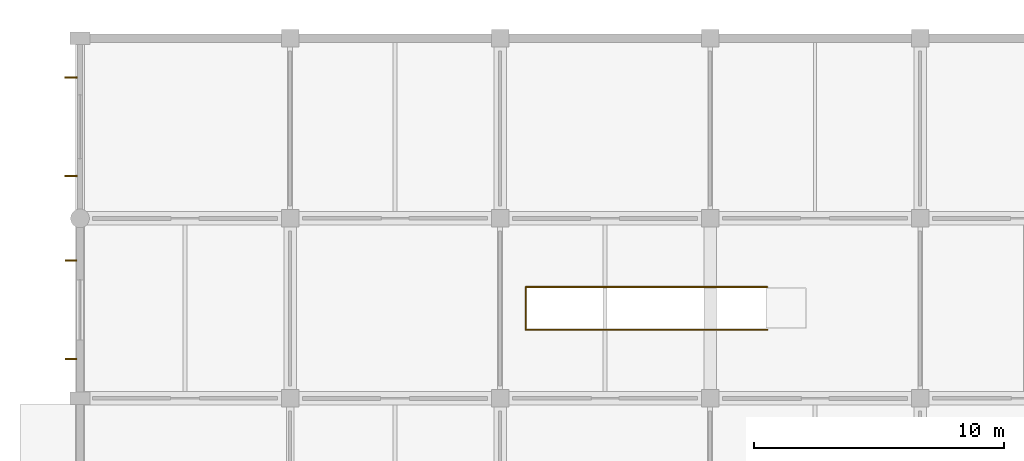
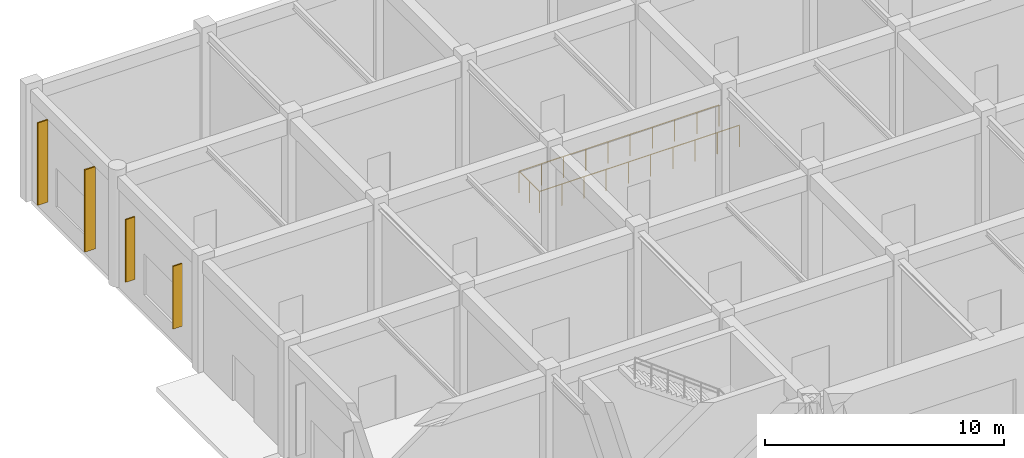
# One storey, part 34 of 39: 4 shading devices, 3 railings.
"""IFC4 building model written with IfcOpenShell, lengths in metres."""

from ifc_helpers import new_model, si_unit, derived_unit, direction, frame, origin, origin_2d, place, context, subcontext, project, spatial, rectangle, circle, extrude, material, layer, layer_set, type_object, element, save


model = new_model("IFC4")

# Units and contexts
model_context = context("Model", 3, precision=1e-05, world=origin(), true_north=direction((0.0, 1.0)))
body_context = subcontext(model_context, "Body", "Model", "MODEL_VIEW")
ifc_project = project(units=[si_unit("LENGTHUNIT", "METRE"), si_unit("AREAUNIT", "SQUARE_METRE"), si_unit("VOLUMEUNIT", "CUBIC_METRE"), si_unit("PLANEANGLEUNIT", "RADIAN"), si_unit("MASSUNIT", "GRAM", prefix="KILO"), derived_unit("THERMALTRANSMITTANCEUNIT", [(si_unit("MASSUNIT", "GRAM", prefix="KILO"), 1), (si_unit("TIMEUNIT", "SECOND"), -3), (si_unit("THERMODYNAMICTEMPERATUREUNIT", "KELVIN"), -1)])], contexts=[model_context])

# Site, building, storey
site_placement = place(None, origin())
site = spatial("IfcSite", under=ifc_project, at=site_placement, CompositionType="ELEMENT")
building_placement = place(site_placement, origin())
building = spatial("IfcBuilding", under=site, at=building_placement, Name="Veldstrom Oceanarium and Marine Research Institute", CompositionType="ELEMENT")
storey_placement = place(building_placement, origin())
storey = spatial("IfcBuildingStorey", under=building, at=storey_placement, Name="L00", CompositionType="ELEMENT", Elevation=0.0)

# Railings
ifc_material_1 = material(Name="Duplex Stainless Steel Balustrade", Category="steel")
ifc_layer_1 = layer(ifc_material_1, 0.06005859375)
ifc_layer_set_1 = layer_set([ifc_layer_1], Name="ARC-RLG-GR1")
railing_type = type_object("IfcRailingType", Name="ARC-RLG-GR1", PredefinedType="GUARDRAIL", material=ifc_layer_set_1)
railing_placement = place(storey_placement, frame((17.830078125, 60.344970703125, 0.0)))
element("IfcRailing", 1, at=railing_placement, inside=storey, type_object=railing_type, Name="Gallery Stair Well Guardrail ST5-05-W", PredefinedType="GUARDRAIL", context=body_context, shape_type="SweptSolid", body=[
    extrude(circle(Radius=0.02392578125, at=origin_2d()), frame((0.0, 0.0, 1.09619140625), z_axis=(0.0, 1.0, 0.0), x_axis=(-1.0, 0.0, 0.0)), (0.0, 0.0, 1.0), 1.7099609375),
    extrude(circle(Radius=0.02099609375, at=origin_2d()), origin(), (0.0, 0.0, 1.0), 1.072021484375),
    extrude(circle(Radius=0.02099609375, at=origin_2d()), frame((0.0, 0.85498046875, 0.0)), (0.0, 0.0, 1.0), 1.072021484375),
    extrude(circle(Radius=0.02099609375, at=origin_2d()), frame((0.0, 1.7099609375, 0.0)), (0.0, 0.0, 1.0), 1.072021484375),
])
for number, where, name in (
    (2, (17.830078125, 60.344970703125, 0.0), "Gallery Stair Well Guardrail ST5-05-S"),
    (3, (17.830078125, 62.054931640625, 0.0), "Gallery Stair Well Guardrail ST5-05-N"),
):
    element("IfcRailing", number, at=place(storey_placement, frame(where)), inside=storey, type_object=railing_type, Name=name, PredefinedType="GUARDRAIL", context=body_context, shape_type="SweptSolid", body=[
        extrude(circle(Radius=0.02392578125, at=origin_2d()), frame((0.0, 0.0, 1.09619140625), z_axis=(1.0, 0.0, 0.0), x_axis=(0.0, 1.0, 0.0)), (0.0, 0.0, 1.0), 9.659912109375),
        extrude(circle(Radius=0.02099609375, at=origin_2d()), origin(), (0.0, 0.0, 1.0), 1.072021484375),
        extrude(circle(Radius=0.02099609375, at=origin_2d()), frame((1.0732421875, 0.0, 0.0)), (0.0, 0.0, 1.0), 1.072021484375),
        extrude(circle(Radius=0.02099609375, at=origin_2d()), frame((2.146728515625, 0.0, 0.0)), (0.0, 0.0, 1.0), 1.072021484375),
        extrude(circle(Radius=0.02099609375, at=origin_2d()), frame((3.219970703125, 0.0, 0.0)), (0.0, 0.0, 1.0), 1.072021484375),
        extrude(circle(Radius=0.02099609375, at=origin_2d()), frame((4.293212890625, 0.0, 0.0)), (0.0, 0.0, 1.0), 1.072021484375),
        extrude(circle(Radius=0.02099609375, at=origin_2d()), frame((5.36669921875, 0.0, 0.0)), (0.0, 0.0, 1.0), 1.072021484375),
        extrude(circle(Radius=0.02099609375, at=origin_2d()), frame((6.43994140625, 0.0, 0.0)), (0.0, 0.0, 1.0), 1.072021484375),
        extrude(circle(Radius=0.02099609375, at=origin_2d()), frame((7.51318359375, 0.0, 0.0)), (0.0, 0.0, 1.0), 1.072021484375),
        extrude(circle(Radius=0.02099609375, at=origin_2d()), frame((8.586669921875, 0.0, 0.0)), (0.0, 0.0, 1.0), 1.072021484375),
        extrude(circle(Radius=0.02099609375, at=origin_2d()), frame((9.659912109375, 0.0, 0.0)), (0.0, 0.0, 1.0), 1.072021484375),
    ])

# Shading devices
ifc_material_2 = material(Name="Precast Terracotta Brise-Soleil Louvre", Category="masonry")
ifc_layer_2 = layer(ifc_material_2, 3.199951171875)
ifc_layer_set_2 = layer_set([ifc_layer_2], Name="ARC-SHD-BS02")
shading_device_type_1 = type_object("IfcShadingDeviceType", Name="ARC-SHD-BS02", PredefinedType="JALOUSIE", material=ifc_layer_set_2)
for number, where, z_axis, x_axis, name in (
    (4, (-0.35498046875, 59.1650390625, 1.2373046875), (0.0, 0.0, 1.0), (1.0, 0.0, 0.0), "Terracotta Brise-Soleil Louvre L00-005"),
    (5, (-0.35498046875, 63.110107421875, 1.2373046875), (0.0, 0.0, 1.0), (1.0, 0.0, 0.0), "Terracotta Brise-Soleil Louvre L00-005"),
):
    element("IfcShadingDevice", number, at=place(storey_placement, frame(where, z_axis=z_axis, x_axis=x_axis)), inside=storey, type_object=shading_device_type_1, Name=name, PredefinedType="JALOUSIE", context=body_context, shape_type="SweptSolid", body=[
        extrude(rectangle(XDim=0.449951171875, YDim=0.06005859375, at=origin_2d()), origin(), (0.0, 0.0, 1.0), 3.199951171875),
    ])
ifc_material_3 = material(Name="Precast Terracotta Brise-Soleil Louvre", Category="masonry")
ifc_layer_3 = layer(ifc_material_3, 4.199951171875)
ifc_layer_set_3 = layer_set([ifc_layer_3], Name="ARC-SHD-BS03")
shading_device_type_2 = type_object("IfcShadingDeviceType", Name="ARC-SHD-BS03", PredefinedType="JALOUSIE", material=ifc_layer_set_3)
for number, where, z_axis, x_axis, name in (
    (6, (-0.3525390625, 66.489990234375, 0.7373046875), (0.0, 0.0, 1.0), (1.0, 0.0, 0.0), "Terracotta Brise-Soleil Louvre L00-006"),
    (7, (-0.3525390625, 70.43505859375, 0.7373046875), (0.0, 0.0, 1.0), (1.0, 0.0, 0.0), "Terracotta Brise-Soleil Louvre L00-006"),
):
    element("IfcShadingDevice", number, at=place(storey_placement, frame(where, z_axis=z_axis, x_axis=x_axis)), inside=storey, type_object=shading_device_type_2, Name=name, PredefinedType="JALOUSIE", context=body_context, shape_type="SweptSolid", body=[
        extrude(rectangle(XDim=0.5, YDim=0.06494140625, at=origin_2d()), origin(), (0.0, 0.0, 1.0), 4.199951171875),
    ])

save(model, "model.ifc")
